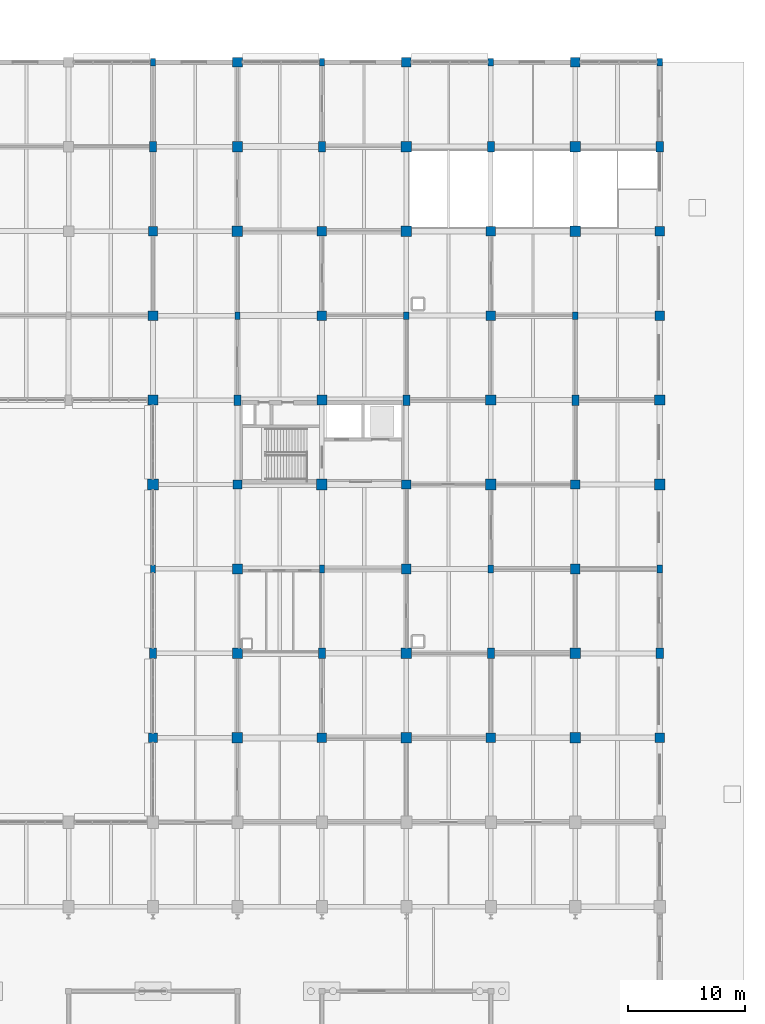
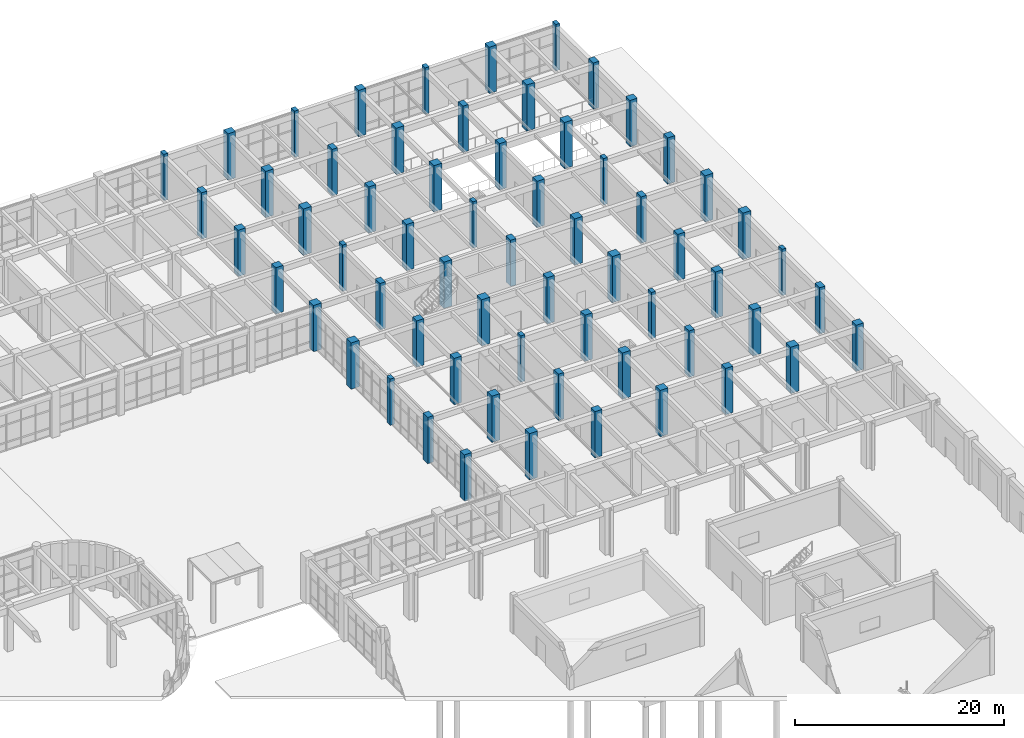
# One storey, part 14 of 160: 63 columns.
"""IFC4 building model written with IfcOpenShell, lengths in metres."""

from ifc_helpers import new_model, si_unit, direction, frame, origin, origin_2d, place, context, subcontext, project, spatial, rectangle, extrude, material, material_profile, profile_set, type_object, element, save


model = new_model("IFC4")

# Units and contexts
model_context = context("Model", 3, precision=1e-05, world=origin(), true_north=direction((0.0, 1.0)))
body_context = subcontext(model_context, "Body", "Model", "MODEL_VIEW")
ifc_project = project(units=[si_unit("LENGTHUNIT", "METRE"), si_unit("AREAUNIT", "SQUARE_METRE"), si_unit("VOLUMEUNIT", "CUBIC_METRE"), si_unit("PLANEANGLEUNIT", "RADIAN"), si_unit("MASSUNIT", "GRAM", prefix="KILO")], contexts=[model_context])

# Site, building, storey
site_placement = place(None, origin())
site = spatial("IfcSite", under=ifc_project, at=site_placement, CompositionType="ELEMENT")
building_placement = place(site_placement, origin())
building = spatial("IfcBuilding", under=site, at=building_placement, Name="Thalmaran Polytechnic", CompositionType="ELEMENT")
storey_placement = place(building_placement, origin())
storey = spatial("IfcBuildingStorey", under=building, at=storey_placement, Name="L00", CompositionType="ELEMENT", Elevation=0.0)

# Columns
ifc_material_1 = material(Name="Concrete C50/60", Category="concrete")
ifc_material_profile_1 = material_profile(ifc_material_1, rectangle(XDim=0.89990234375, YDim=0.89990234375, at=origin_2d()), Name="RC 900x900")
ifc_profile_set_1 = profile_set([ifc_material_profile_1], Name="Concrete C50/60")
column_type_1 = type_object("IfcColumnType", Name="COL-C01", PredefinedType="COLUMN", material=ifc_profile_set_1)
for number, where, z_axis, x_axis, name in (
    (1, (129.60009765625, 86.39990234375, 0.0), (0.0, 0.0, 1.0), (1.0, 0.0, 0.0), "Column C01 L00 (18,12)"),
    (2, (136.800048828125, 64.800048828125, 0.0), (0.0, 0.0, 1.0), (1.0, 0.0, 0.0), "Column C01 L00 (19,9)"),
    (3, (136.800048828125, 108.0, 0.0), (0.0, 0.0, 1.0), (1.0, 0.0, 0.0), "Column C01 L00 (19,15)"),
    (4, (144.0, 86.39990234375, 0.0), (0.0, 0.0, 1.0), (1.0, 0.0, 0.0), "Column C01 L00 (20,12)"),
    (5, (151.199951171875, 64.800048828125, 0.0), (0.0, 0.0, 1.0), (1.0, 0.0, 0.0), "Column C01 L00 (21,9)"),
    (6, (151.199951171875, 108.0, 0.0), (0.0, 0.0, 1.0), (1.0, 0.0, 0.0), "Column C01 L00 (21,15)"),
    (7, (158.39990234375, 86.39990234375, 0.0), (0.0, 0.0, 1.0), (1.0, 0.0, 0.0), "Column C01 L00 (22,12)"),
    (8, (165.60009765625, 64.800048828125, 0.0), (0.0, 0.0, 1.0), (1.0, 0.0, 0.0), "Column C01 L00 (23,9)"),
    (9, (165.60009765625, 108.0, 0.0), (0.0, 0.0, 1.0), (1.0, 0.0, 0.0), "Column C01 L00 (23,15)"),
    (10, (172.800048828125, 86.39990234375, 0.0), (0.0, 0.0, 1.0), (1.0, 0.0, 0.0), "Column C01 L00 (24,12)"),
):
    element("IfcColumn", number, at=place(storey_placement, frame(where, z_axis=z_axis, x_axis=x_axis)), inside=storey, type_object=column_type_1, Name=name, PredefinedType="COLUMN", context=body_context, shape_type="SweptSolid", body=[
        extrude(rectangle(XDim=0.89990234375, YDim=0.89990234375, at=origin_2d()), origin(), (0.0, 0.0, 1.0), 5.39990234375),
    ])
ifc_material_profile_2 = material_profile(ifc_material_1, rectangle(XDim=0.800048828125, YDim=0.800048828125, at=origin_2d()), Name="RC 800x800")
ifc_profile_set_2 = profile_set([ifc_material_profile_2], Name="Concrete C50/60")
column_type_2 = type_object("IfcColumnType", Name="COL-C03", PredefinedType="COLUMN", material=ifc_profile_set_2)
for number, where, z_axis, x_axis, name in (
    (11, (129.60009765625, 64.800048828125, 0.0), (0.0, 0.0, 1.0), (1.0, 0.0, 0.0), "Column C03 L00 (18,9)"),
    (12, (129.60009765625, 108.0, 0.0), (0.0, 0.0, 1.0), (1.0, 0.0, 0.0), "Column C03 L00 (18,15)"),
    (13, (136.800048828125, 86.39990234375, 0.0), (0.0, 0.0, 1.0), (1.0, 0.0, 0.0), "Column C03 L00 (19,12)"),
    (14, (144.0, 64.800048828125, 0.0), (0.0, 0.0, 1.0), (1.0, 0.0, 0.0), "Column C03 L00 (20,9)"),
    (15, (144.0, 108.0, 0.0), (0.0, 0.0, 1.0), (1.0, 0.0, 0.0), "Column C03 L00 (20,15)"),
    (16, (151.199951171875, 86.39990234375, 0.0), (0.0, 0.0, 1.0), (1.0, 0.0, 0.0), "Column C03 L00 (21,12)"),
    (17, (158.39990234375, 64.800048828125, 0.0), (0.0, 0.0, 1.0), (1.0, 0.0, 0.0), "Column C03 L00 (22,9)"),
    (18, (158.39990234375, 108.0, 0.0), (0.0, 0.0, 1.0), (1.0, 0.0, 0.0), "Column C03 L00 (22,15)"),
    (19, (165.60009765625, 86.39990234375, 0.0), (0.0, 0.0, 1.0), (1.0, 0.0, 0.0), "Column C03 L00 (23,12)"),
    (20, (172.800048828125, 64.800048828125, 0.0), (0.0, 0.0, 1.0), (1.0, 0.0, 0.0), "Column C03 L00 (24,9)"),
    (21, (172.800048828125, 108.0, 0.0), (0.0, 0.0, 1.0), (1.0, 0.0, 0.0), "Column C03 L00 (24,15)"),
):
    element("IfcColumn", number, at=place(storey_placement, frame(where, z_axis=z_axis, x_axis=x_axis)), inside=storey, type_object=column_type_2, Name=name, PredefinedType="COLUMN", context=body_context, shape_type="SweptSolid", body=[
        extrude(rectangle(XDim=0.800048828125, YDim=0.800048828125, at=origin_2d()), origin(), (0.0, 0.0, 1.0), 5.39990234375),
    ])
ifc_material_profile_3 = material_profile(ifc_material_1, rectangle(XDim=0.60009765625, YDim=0.89990234375, at=origin_2d()), Name="RC 600x900")
ifc_profile_set_3 = profile_set([ifc_material_profile_3], Name="Concrete C50/60")
column_type_3 = type_object("IfcColumnType", Name="COL-C11", PredefinedType="COLUMN", material=ifc_profile_set_3)
for number, where, z_axis, x_axis, name in (
    (22, (129.60009765625, 72.0, 0.0), (0.0, 0.0, 1.0), (1.0, 0.0, 0.0), "Column C11 L00 (18,10)"),
    (23, (129.60009765625, 115.199951171875, 0.0), (0.0, 0.0, 1.0), (1.0, 0.0, 0.0), "Column C11 L00 (18,16)"),
    (24, (136.800048828125, 93.60009765625, 0.0), (0.0, 0.0, 1.0), (1.0, 0.0, 0.0), "Column C11 L00 (19,13)"),
    (25, (144.0, 72.0, 0.0), (0.0, 0.0, 1.0), (1.0, 0.0, 0.0), "Column C11 L00 (20,10)"),
    (26, (144.0, 115.199951171875, 0.0), (0.0, 0.0, 1.0), (1.0, 0.0, 0.0), "Column C11 L00 (20,16)"),
    (27, (151.199951171875, 93.60009765625, 0.0), (0.0, 0.0, 1.0), (1.0, 0.0, 0.0), "Column C11 L00 (21,13)"),
    (28, (158.39990234375, 72.0, 0.0), (0.0, 0.0, 1.0), (1.0, 0.0, 0.0), "Column C11 L00 (22,10)"),
    (29, (158.39990234375, 115.199951171875, 0.0), (0.0, 0.0, 1.0), (1.0, 0.0, 0.0), "Column C11 L00 (22,16)"),
    (30, (165.60009765625, 93.60009765625, 0.0), (0.0, 0.0, 1.0), (1.0, 0.0, 0.0), "Column C11 L00 (23,13)"),
    (31, (172.800048828125, 72.0, 0.0), (0.0, 0.0, 1.0), (1.0, 0.0, 0.0), "Column C11 L00 (24,10)"),
    (32, (172.800048828125, 115.199951171875, 0.0), (0.0, 0.0, 1.0), (1.0, 0.0, 0.0), "Column C11 L00 (24,16)"),
):
    element("IfcColumn", number, at=place(storey_placement, frame(where, z_axis=z_axis, x_axis=x_axis)), inside=storey, type_object=column_type_3, Name=name, PredefinedType="COLUMN", context=body_context, shape_type="SweptSolid", body=[
        extrude(rectangle(XDim=0.60009765625, YDim=0.89990234375, at=origin_2d()), origin(), (0.0, 0.0, 1.0), 5.39990234375),
    ])
ifc_material_2 = material(Name="Concrete C40/50", Category="concrete")
ifc_material_profile_4 = material_profile(ifc_material_2, rectangle(XDim=0.449951171875, YDim=0.64990234375, at=origin_2d()), Name="RC 450x650")
ifc_profile_set_4 = profile_set([ifc_material_profile_4], Name="Concrete C40/50")
column_type_4 = type_object("IfcColumnType", Name="COL-PL1", PredefinedType="PILASTER", material=ifc_profile_set_4)
for number, where, z_axis, x_axis, name in (
    (33, (129.60009765625, 79.199951171875, 0.0), (0.0, 0.0, 1.0), (1.0, 0.0, 0.0), "Column PL1 L00 (18,11)"),
    (34, (129.60009765625, 122.39990234375, 0.0), (0.0, 0.0, 1.0), (1.0, 0.0, 0.0), "Column PL1 L00 (18,17)"),
    (35, (136.800048828125, 100.800048828125, 0.0), (0.0, 0.0, 1.0), (1.0, 0.0, 0.0), "Column PL1 L00 (19,14)"),
    (36, (144.0, 79.199951171875, 0.0), (0.0, 0.0, 1.0), (1.0, 0.0, 0.0), "Column PL1 L00 (20,11)"),
    (37, (144.0, 122.39990234375, 0.0), (0.0, 0.0, 1.0), (1.0, 0.0, 0.0), "Column PL1 L00 (20,17)"),
    (38, (151.199951171875, 100.800048828125, 0.0), (0.0, 0.0, 1.0), (1.0, 0.0, 0.0), "Column PL1 L00 (21,14)"),
    (39, (158.39990234375, 79.199951171875, 0.0), (0.0, 0.0, 1.0), (1.0, 0.0, 0.0), "Column PL1 L00 (22,11)"),
    (40, (158.39990234375, 122.39990234375, 0.0), (0.0, 0.0, 1.0), (1.0, 0.0, 0.0), "Column PL1 L00 (22,17)"),
    (41, (165.60009765625, 100.800048828125, 0.0), (0.0, 0.0, 1.0), (1.0, 0.0, 0.0), "Column PL1 L00 (23,14)"),
    (42, (172.800048828125, 79.199951171875, 0.0), (0.0, 0.0, 1.0), (1.0, 0.0, 0.0), "Column PL1 L00 (24,11)"),
    (43, (172.800048828125, 122.39990234375, 0.0), (0.0, 0.0, 1.0), (1.0, 0.0, 0.0), "Column PL1 L00 (24,17)"),
):
    element("IfcColumn", number, at=place(storey_placement, frame(where, z_axis=z_axis, x_axis=x_axis)), inside=storey, type_object=column_type_4, Name=name, PredefinedType="PILASTER", context=body_context, shape_type="SweptSolid", body=[
        extrude(rectangle(XDim=0.449951171875, YDim=0.64990234375, at=origin_2d()), origin(), (0.0, 0.0, 1.0), 5.39990234375),
    ])
ifc_material_profile_5 = material_profile(ifc_material_1, rectangle(XDim=0.8798828125, YDim=0.8798828125, at=origin_2d()), Name="RC 880x880")
ifc_profile_set_5 = profile_set([ifc_material_profile_5], Name="Concrete C50/60")
column_type_5 = type_object("IfcColumnType", Name="COL-ZC01", PredefinedType="COLUMN", material=ifc_profile_set_5)
for number, where, z_axis, x_axis, name in (
    (44, (129.60009765625, 93.60009765625, 0.0), (0.0, 0.0, 1.0), (1.0, 0.0, 0.0), "Column ZC01 L00 (18,13)"),
    (45, (136.800048828125, 72.0, 0.0), (0.0, 0.0, 1.0), (1.0, 0.0, 0.0), "Column ZC01 L00 (19,10)"),
    (46, (136.800048828125, 115.199951171875, 0.0), (0.0, 0.0, 1.0), (1.0, 0.0, 0.0), "Column ZC01 L00 (19,16)"),
    (47, (144.0, 93.60009765625, 0.0), (0.0, 0.0, 1.0), (1.0, 0.0, 0.0), "Column ZC01 L00 (20,13)"),
    (48, (151.199951171875, 72.0, 0.0), (0.0, 0.0, 1.0), (1.0, 0.0, 0.0), "Column ZC01 L00 (21,10)"),
    (49, (151.199951171875, 115.199951171875, 0.0), (0.0, 0.0, 1.0), (1.0, 0.0, 0.0), "Column ZC01 L00 (21,16)"),
    (50, (158.39990234375, 93.60009765625, 0.0), (0.0, 0.0, 1.0), (1.0, 0.0, 0.0), "Column ZC01 L00 (22,13)"),
    (51, (165.60009765625, 72.0, 0.0), (0.0, 0.0, 1.0), (1.0, 0.0, 0.0), "Column ZC01 L00 (23,10)"),
    (52, (165.60009765625, 115.199951171875, 0.0), (0.0, 0.0, 1.0), (1.0, 0.0, 0.0), "Column ZC01 L00 (23,16)"),
    (53, (172.800048828125, 93.60009765625, 0.0), (0.0, 0.0, 1.0), (1.0, 0.0, 0.0), "Column ZC01 L00 (24,13)"),
):
    element("IfcColumn", number, at=place(storey_placement, frame(where, z_axis=z_axis, x_axis=x_axis)), inside=storey, type_object=column_type_5, Name=name, PredefinedType="COLUMN", context=body_context, shape_type="SweptSolid", body=[
        extrude(rectangle(XDim=0.8798828125, YDim=0.8798828125, at=origin_2d()), origin(), (0.0, 0.0, 1.0), 5.39990234375),
    ])
ifc_material_profile_6 = material_profile(ifc_material_1, rectangle(XDim=0.820068359375, YDim=0.820068359375, at=origin_2d()), Name="RC 820x820")
ifc_profile_set_6 = profile_set([ifc_material_profile_6], Name="Concrete C50/60")
column_type_6 = type_object("IfcColumnType", Name="COL-ZC02", PredefinedType="COLUMN", material=ifc_profile_set_6)
for number, where, z_axis, x_axis, name in (
    (54, (129.60009765625, 100.800048828125, 0.0), (0.0, 0.0, 1.0), (1.0, 0.0, 0.0), "Column ZC02 L00 (18,14)"),
    (55, (136.800048828125, 79.199951171875, 0.0), (0.0, 0.0, 1.0), (1.0, 0.0, 0.0), "Column ZC02 L00 (19,11)"),
    (56, (136.800048828125, 122.39990234375, 0.0), (0.0, 0.0, 1.0), (1.0, 0.0, 0.0), "Column ZC02 L00 (19,17)"),
    (57, (144.0, 100.800048828125, 0.0), (0.0, 0.0, 1.0), (1.0, 0.0, 0.0), "Column ZC02 L00 (20,14)"),
    (58, (151.199951171875, 79.199951171875, 0.0), (0.0, 0.0, 1.0), (1.0, 0.0, 0.0), "Column ZC02 L00 (21,11)"),
    (59, (151.199951171875, 122.39990234375, 0.0), (0.0, 0.0, 1.0), (1.0, 0.0, 0.0), "Column ZC02 L00 (21,17)"),
    (60, (158.39990234375, 100.800048828125, 0.0), (0.0, 0.0, 1.0), (1.0, 0.0, 0.0), "Column ZC02 L00 (22,14)"),
    (61, (165.60009765625, 79.199951171875, 0.0), (0.0, 0.0, 1.0), (1.0, 0.0, 0.0), "Column ZC02 L00 (23,11)"),
    (62, (165.60009765625, 122.39990234375, 0.0), (0.0, 0.0, 1.0), (1.0, 0.0, 0.0), "Column ZC02 L00 (23,17)"),
    (63, (172.800048828125, 100.800048828125, 0.0), (0.0, 0.0, 1.0), (1.0, 0.0, 0.0), "Column ZC02 L00 (24,14)"),
):
    element("IfcColumn", number, at=place(storey_placement, frame(where, z_axis=z_axis, x_axis=x_axis)), inside=storey, type_object=column_type_6, Name=name, PredefinedType="COLUMN", context=body_context, shape_type="SweptSolid", body=[
        extrude(rectangle(XDim=0.820068359375, YDim=0.820068359375, at=origin_2d()), origin(), (0.0, 0.0, 1.0), 5.39990234375),
    ])

save(model, "model.ifc")
